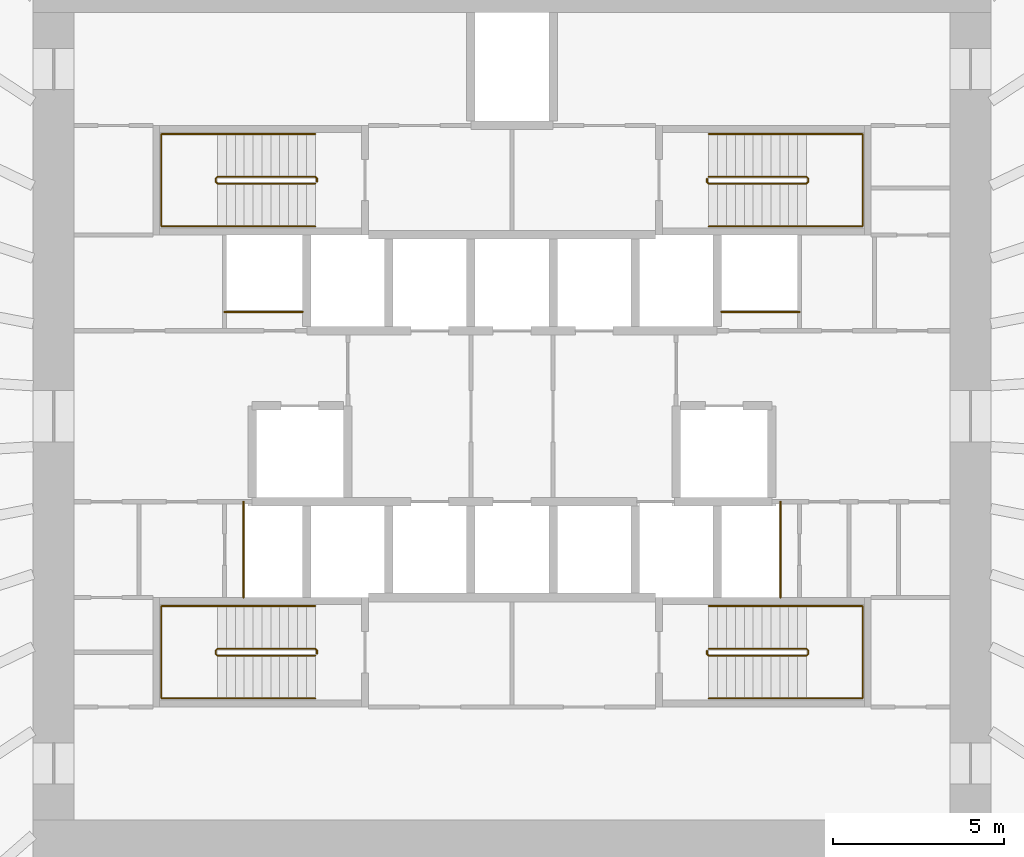
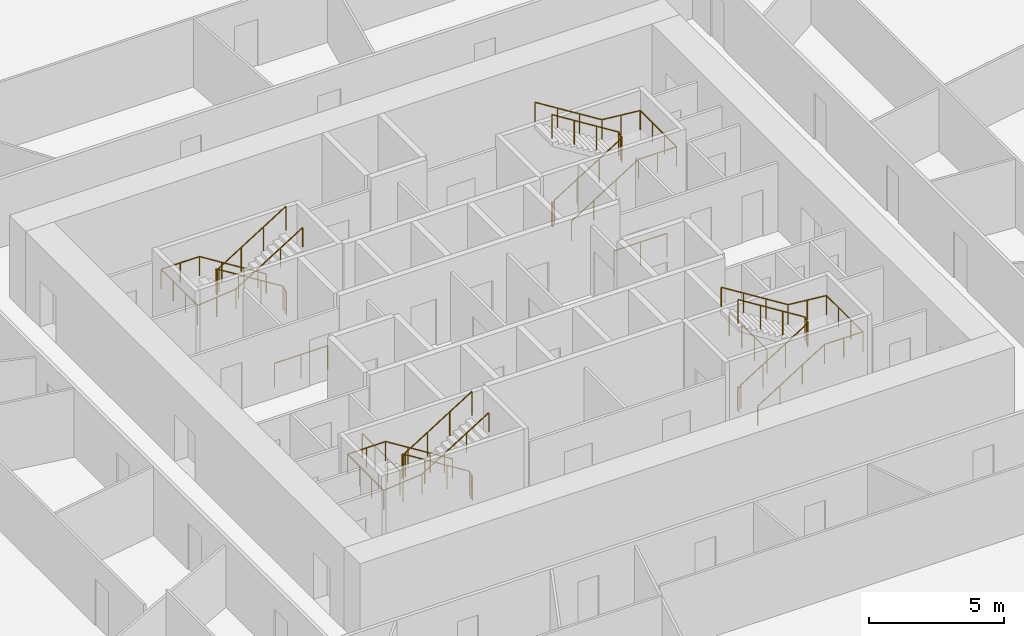
# One storey, part 12 of 12: 12 railings.
"""IFC4 building model written with IfcOpenShell, lengths in metres."""

from ifc_helpers import new_model, si_unit, direction, frame, origin, origin_2d, place, context, subcontext, project, spatial, circle, extrude, source, transform, mapped, material, type_object, element, save


model = new_model("IFC4")

# Units and contexts
model_context = context("Model", 3, precision=1e-05, world=origin(), true_north=direction((0.0, 1.0)))
body_context = subcontext(model_context, "Body", "Model", "MODEL_VIEW")
ifc_project = project(units=[si_unit("LENGTHUNIT", "METRE"), si_unit("AREAUNIT", "SQUARE_METRE"), si_unit("VOLUMEUNIT", "CUBIC_METRE"), si_unit("PLANEANGLEUNIT", "RADIAN"), si_unit("MASSUNIT", "GRAM", prefix="KILO")], contexts=[model_context])

# Site, building, storey
site_placement = place(None, origin())
site = spatial("IfcSite", under=ifc_project, at=site_placement, CompositionType="ELEMENT")
building_placement = place(site_placement, origin())
building = spatial("IfcBuilding", under=site, at=building_placement, Name="Embergate Tower", CompositionType="ELEMENT")
storey_placement = place(building_placement, frame((0.0, 0.0, 65.89990234375)))
storey = spatial("IfcBuildingStorey", under=building, at=storey_placement, Name="L12", CompositionType="ELEMENT", Elevation=65.89990234375)

# Railings
ifc_material_1 = material(Name="Stair guard 1100")
railing_type_1 = type_object("IfcRailingType", Name="Stair guard 1100", PredefinedType="GUARDRAIL", material=ifc_material_1)
shared_shape_1 = source(origin(), body_context, "Body", "SweptSolid", [
    extrude(circle(Radius=0.02392578125, at=origin_2d()), frame((0.0, 0.0, 1.076171875), z_axis=(0.0, 1.0, 0.0), x_axis=(-1.0, 0.0, 0.0)), (0.0, 0.0, 1.0), 0.099853515625),
    extrude(circle(Radius=0.02392578125, at=origin_2d()), frame((0.0, 0.099853515625, 1.076171875), z_axis=(-0.282227285176, 0.282227285176, 0.916894497205), x_axis=(-0.707106781187, -0.707106781187, 0.0)), (0.0, 0.0, 1.0), 0.17724609375),
    extrude(circle(Radius=0.02392578125, at=origin_2d()), frame((-0.050048828125, 0.14990234375, 1.23876953125), z_axis=(-0.847994237388, 0.0, 0.530005446535), x_axis=(0.0, -1.0, 0.0)), (0.0, 0.0, 1.0), 3.372802734375),
    extrude(circle(Radius=0.02392578125, at=origin_2d()), frame((-2.91015625, 0.14990234375, 3.0263671875), z_axis=(-0.705375805398, -0.708833529934, 0.0), x_axis=(0.708833529934, -0.705375805398, 0.0)), (0.0, 0.0, 1.0), 0.070556640625),
    extrude(circle(Radius=0.02392578125, at=origin_2d()), frame((-2.9599609375, 0.099853515625, 3.0263671875), z_axis=(0.0, -1.0, 0.0), x_axis=(1.0, 0.0, 0.0)), (0.0, 0.0, 1.0), 0.099853515625),
    extrude(circle(Radius=0.02392578125, at=origin_2d()), frame((-2.9599609375, 0.0, 3.0263671875), z_axis=(0.281314826061, -0.282693820306, 0.917031173188), x_axis=(0.708833529934, 0.705375805398, 0.0)), (0.0, 0.0, 1.0), 0.177001953125),
    extrude(circle(Radius=0.02392578125, at=origin_2d()), frame((-2.91015625, -0.050048828125, 3.1884765625), z_axis=(0.847994237388, 0.0, 0.530005446535), x_axis=(0.0, 1.0, 0.0)), (0.0, 0.0, 1.0), 3.372802734375),
    extrude(circle(Radius=0.02099609375, at=origin_2d()), origin(), (0.0, 0.0, 1.0), 1.052001953125),
    extrude(circle(Radius=0.02099609375, at=origin_2d()), frame((0.0, 0.099853515625, 0.0)), (0.0, 0.0, 1.0), 1.052001953125),
    extrude(circle(Radius=0.02099609375, at=origin_2d()), frame((-0.050048828125, 0.14990234375, 0.16259765625)), (0.0, 0.0, 1.0), 1.052001953125),
    extrude(circle(Radius=0.02099609375, at=origin_2d()), frame((-1.00341796875, 0.14990234375, 0.758544921875)), (0.0, 0.0, 1.0), 1.052001953125),
    extrude(circle(Radius=0.02099609375, at=origin_2d()), frame((-1.956787109375, 0.14990234375, 1.354248046875)), (0.0, 0.0, 1.0), 1.052001953125),
    extrude(circle(Radius=0.02099609375, at=origin_2d()), frame((-2.91015625, 0.14990234375, 1.9501953125)), (0.0, 0.0, 1.0), 1.052001953125),
    extrude(circle(Radius=0.02099609375, at=origin_2d()), frame((-2.9599609375, 0.099853515625, 1.9501953125)), (0.0, 0.0, 1.0), 1.052001953125),
    extrude(circle(Radius=0.02099609375, at=origin_2d()), frame((-2.9599609375, 0.0, 1.9501953125)), (0.0, 0.0, 1.0), 1.052001953125),
    extrude(circle(Radius=0.02099609375, at=origin_2d()), frame((-2.91015625, -0.050048828125, 2.112548828125)), (0.0, 0.0, 1.0), 1.052001953125),
    extrude(circle(Radius=0.02099609375, at=origin_2d()), frame((-1.956787109375, -0.050048828125, 2.70849609375)), (0.0, 0.0, 1.0), 1.052001953125),
    extrude(circle(Radius=0.02099609375, at=origin_2d()), frame((-1.00341796875, -0.050048828125, 3.30419921875)), (0.0, 0.0, 1.0), 1.052001953125),
    extrude(circle(Radius=0.02099609375, at=origin_2d()), frame((-0.050048828125, -0.050048828125, 3.900146484375)), (0.0, 0.0, 1.0), 1.052001953125),
])
for number, where, name in (
    (1, (-5.699951171875, 6.85009765625, 0.0), "L12 ST1 stair guard 1"),
    (2, (-5.699951171875, -6.949951171875, 0.0), "L12 ST3 stair guard 1"),
):
    element("IfcRailing", number, at=place(storey_placement, frame(where)), inside=storey, type_object=railing_type_1, Name=name, PredefinedType="GUARDRAIL", context=body_context, shape_type="MappedRepresentation", body=[
        mapped(shared_shape_1, transform((0.0, 0.0, 0.0))),
    ])
ifc_material_2 = material(Name="Stair handrail 900")
railing_type_2 = type_object("IfcRailingType", Name="Stair handrail 900", PredefinedType="HANDRAIL", material=ifc_material_2)
shared_shape_2 = source(origin(), body_context, "Body", "SweptSolid", [
    extrude(circle(Radius=0.02392578125, at=origin_2d()), frame((0.0, 0.0, 0.8759765625), z_axis=(-0.847994237388, 0.0, 0.530005446535), x_axis=(0.0, -1.0, 0.0)), (0.0, 0.0, 1.0), 3.372802734375),
    extrude(circle(Radius=0.02392578125, at=origin_2d()), frame((-2.860107421875, 0.0, 2.66357421875), z_axis=(-1.0, 0.0, 0.0), x_axis=(0.0, -1.0, 0.0)), (0.0, 0.0, 1.0), 1.639892578125),
    extrude(circle(Radius=0.02392578125, at=origin_2d()), frame((-4.5, 0.0, 2.66357421875), z_axis=(0.0, -1.0, 0.0), x_axis=(1.0, 0.0, 0.0)), (0.0, 0.0, 1.0), 2.699951171875),
    extrude(circle(Radius=0.02392578125, at=origin_2d()), frame((-4.5, -2.699951171875, 2.66357421875), z_axis=(0.995134983717, 0.0, 0.098520881967), x_axis=(0.0, 1.0, 0.0)), (0.0, 0.0, 1.0), 1.64794921875),
    extrude(circle(Radius=0.02392578125, at=origin_2d()), frame((-2.860107421875, -2.699951171875, 2.82568359375), z_axis=(0.847994237388, 0.0, 0.530005446535), x_axis=(0.0, 1.0, 0.0)), (0.0, 0.0, 1.0), 3.372802734375),
    extrude(circle(Radius=0.02099609375, at=origin_2d()), origin(), (0.0, 0.0, 1.0), 0.851806640625),
    extrude(circle(Radius=0.02099609375, at=origin_2d()), frame((-0.953369140625, 0.0, 0.595947265625)), (0.0, 0.0, 1.0), 0.851806640625),
    extrude(circle(Radius=0.02099609375, at=origin_2d()), frame((-1.90673828125, 0.0, 1.191650390625)), (0.0, 0.0, 1.0), 0.851806640625),
    extrude(circle(Radius=0.02099609375, at=origin_2d()), frame((-2.860107421875, 0.0, 1.78759765625)), (0.0, 0.0, 1.0), 0.851806640625),
    extrude(circle(Radius=0.02099609375, at=origin_2d()), frame((-3.68017578125, 0.0, 1.78759765625)), (0.0, 0.0, 1.0), 0.851806640625),
    extrude(circle(Radius=0.02099609375, at=origin_2d()), frame((-4.5, 0.0, 1.78759765625)), (0.0, 0.0, 1.0), 0.851806640625),
    extrude(circle(Radius=0.02099609375, at=origin_2d()), frame((-4.5, -0.89990234375, 1.78759765625)), (0.0, 0.0, 1.0), 0.851806640625),
    extrude(circle(Radius=0.02099609375, at=origin_2d()), frame((-4.5, -1.800048828125, 1.78759765625)), (0.0, 0.0, 1.0), 0.851806640625),
    extrude(circle(Radius=0.02099609375, at=origin_2d()), frame((-4.5, -2.699951171875, 1.78759765625)), (0.0, 0.0, 1.0), 0.851806640625),
    extrude(circle(Radius=0.02099609375, at=origin_2d()), frame((-3.68017578125, -2.699951171875, 1.86865234375)), (0.0, 0.0, 1.0), 0.851806640625),
    extrude(circle(Radius=0.02099609375, at=origin_2d()), frame((-2.860107421875, -2.699951171875, 1.949951171875)), (0.0, 0.0, 1.0), 0.851806640625),
    extrude(circle(Radius=0.02099609375, at=origin_2d()), frame((-1.90673828125, -2.699951171875, 2.5458984375)), (0.0, 0.0, 1.0), 0.851806640625),
    extrude(circle(Radius=0.02099609375, at=origin_2d()), frame((-0.953369140625, -2.699951171875, 3.1416015625)), (0.0, 0.0, 1.0), 0.851806640625),
    extrude(circle(Radius=0.02099609375, at=origin_2d()), frame((0.0, -2.699951171875, 3.737548828125)), (0.0, 0.0, 1.0), 0.851806640625),
])
for number, where, name in (
    (3, (-5.75, 8.25, 0.16259765625), "L12 ST1 stair handrail 1"),
    (4, (-5.75, -5.550048828125, 0.16259765625), "L12 ST3 stair handrail 1"),
):
    element("IfcRailing", number, at=place(storey_placement, frame(where)), inside=storey, type_object=railing_type_2, Name=name, PredefinedType="HANDRAIL", context=body_context, shape_type="MappedRepresentation", body=[
        mapped(shared_shape_2, transform((0.0, 0.0, 0.0))),
    ])
shared_shape_3 = source(origin(), body_context, "Body", "SweptSolid", [
    extrude(circle(Radius=0.02392578125, at=origin_2d()), frame((0.0, 0.0, 1.076171875), z_axis=(0.0, -1.0, 0.0), x_axis=(1.0, 0.0, 0.0)), (0.0, 0.0, 1.0), 0.099853515625),
    extrude(circle(Radius=0.02392578125, at=origin_2d()), frame((0.0, -0.099853515625, 1.076171875), z_axis=(0.282227285176, -0.282227285176, 0.916894497205), x_axis=(0.707106781187, 0.707106781187, 0.0)), (0.0, 0.0, 1.0), 0.17724609375),
    extrude(circle(Radius=0.02392578125, at=origin_2d()), frame((0.050048828125, -0.14990234375, 1.23876953125), z_axis=(0.847994237388, 0.0, 0.530005446535), x_axis=(0.0, 1.0, 0.0)), (0.0, 0.0, 1.0), 3.372802734375),
    extrude(circle(Radius=0.02392578125, at=origin_2d()), frame((2.91015625, -0.14990234375, 3.0263671875), z_axis=(0.705375805398, 0.708833529934, 0.0), x_axis=(-0.708833529934, 0.705375805398, 0.0)), (0.0, 0.0, 1.0), 0.070556640625),
    extrude(circle(Radius=0.02392578125, at=origin_2d()), frame((2.9599609375, -0.099853515625, 3.0263671875), z_axis=(0.0, 1.0, 0.0), x_axis=(-1.0, 0.0, 0.0)), (0.0, 0.0, 1.0), 0.099853515625),
    extrude(circle(Radius=0.02392578125, at=origin_2d()), frame((2.9599609375, 0.0, 3.0263671875), z_axis=(-0.281314826061, 0.282693820306, 0.917031173188), x_axis=(-0.708833529934, -0.705375805398, 0.0)), (0.0, 0.0, 1.0), 0.177001953125),
    extrude(circle(Radius=0.02392578125, at=origin_2d()), frame((2.91015625, 0.050048828125, 3.1884765625), z_axis=(-0.847994237388, 0.0, 0.530005446535), x_axis=(0.0, -1.0, 0.0)), (0.0, 0.0, 1.0), 3.372802734375),
    extrude(circle(Radius=0.02099609375, at=origin_2d()), origin(), (0.0, 0.0, 1.0), 1.052001953125),
    extrude(circle(Radius=0.02099609375, at=origin_2d()), frame((0.0, -0.099853515625, 0.0)), (0.0, 0.0, 1.0), 1.052001953125),
    extrude(circle(Radius=0.02099609375, at=origin_2d()), frame((0.050048828125, -0.14990234375, 0.16259765625)), (0.0, 0.0, 1.0), 1.052001953125),
    extrude(circle(Radius=0.02099609375, at=origin_2d()), frame((1.00341796875, -0.14990234375, 0.758544921875)), (0.0, 0.0, 1.0), 1.052001953125),
    extrude(circle(Radius=0.02099609375, at=origin_2d()), frame((1.956787109375, -0.14990234375, 1.354248046875)), (0.0, 0.0, 1.0), 1.052001953125),
    extrude(circle(Radius=0.02099609375, at=origin_2d()), frame((2.91015625, -0.14990234375, 1.9501953125)), (0.0, 0.0, 1.0), 1.052001953125),
    extrude(circle(Radius=0.02099609375, at=origin_2d()), frame((2.9599609375, -0.099853515625, 1.9501953125)), (0.0, 0.0, 1.0), 1.052001953125),
    extrude(circle(Radius=0.02099609375, at=origin_2d()), frame((2.9599609375, 0.0, 1.9501953125)), (0.0, 0.0, 1.0), 1.052001953125),
    extrude(circle(Radius=0.02099609375, at=origin_2d()), frame((2.91015625, 0.050048828125, 2.112548828125)), (0.0, 0.0, 1.0), 1.052001953125),
    extrude(circle(Radius=0.02099609375, at=origin_2d()), frame((1.956787109375, 0.050048828125, 2.70849609375)), (0.0, 0.0, 1.0), 1.052001953125),
    extrude(circle(Radius=0.02099609375, at=origin_2d()), frame((1.00341796875, 0.050048828125, 3.30419921875)), (0.0, 0.0, 1.0), 1.052001953125),
    extrude(circle(Radius=0.02099609375, at=origin_2d()), frame((0.050048828125, 0.050048828125, 3.900146484375)), (0.0, 0.0, 1.0), 1.052001953125),
])
for number, where, name in (
    (5, (5.699951171875, 6.949951171875, 0.0), "L12 ST2 stair guard 1"),
    (6, (5.699951171875, -6.85009765625, 0.0), "L12 ST4 stair guard 1"),
):
    element("IfcRailing", number, at=place(storey_placement, frame(where)), inside=storey, type_object=railing_type_1, Name=name, PredefinedType="GUARDRAIL", context=body_context, shape_type="MappedRepresentation", body=[
        mapped(shared_shape_3, transform((0.0, 0.0, 0.0))),
    ])
shared_shape_4 = source(origin(), body_context, "Body", "SweptSolid", [
    extrude(circle(Radius=0.02392578125, at=origin_2d()), frame((0.0, 0.0, 0.8759765625), z_axis=(0.847994237388, 0.0, 0.530005446535), x_axis=(0.0, 1.0, 0.0)), (0.0, 0.0, 1.0), 3.372802734375),
    extrude(circle(Radius=0.02392578125, at=origin_2d()), frame((2.860107421875, 0.0, 2.66357421875), z_axis=(1.0, 0.0, 0.0), x_axis=(0.0, 1.0, 0.0)), (0.0, 0.0, 1.0), 1.639892578125),
    extrude(circle(Radius=0.02392578125, at=origin_2d()), frame((4.5, 0.0, 2.66357421875), z_axis=(0.0, 1.0, 0.0), x_axis=(-1.0, 0.0, 0.0)), (0.0, 0.0, 1.0), 2.699951171875),
    extrude(circle(Radius=0.02392578125, at=origin_2d()), frame((4.5, 2.699951171875, 2.66357421875), z_axis=(-0.995134983717, 0.0, 0.098520881967), x_axis=(0.0, -1.0, 0.0)), (0.0, 0.0, 1.0), 1.64794921875),
    extrude(circle(Radius=0.02392578125, at=origin_2d()), frame((2.860107421875, 2.699951171875, 2.82568359375), z_axis=(-0.847994237388, 0.0, 0.530005446535), x_axis=(0.0, -1.0, 0.0)), (0.0, 0.0, 1.0), 3.372802734375),
    extrude(circle(Radius=0.02099609375, at=origin_2d()), origin(), (0.0, 0.0, 1.0), 0.851806640625),
    extrude(circle(Radius=0.02099609375, at=origin_2d()), frame((0.953369140625, 0.0, 0.595947265625)), (0.0, 0.0, 1.0), 0.851806640625),
    extrude(circle(Radius=0.02099609375, at=origin_2d()), frame((1.90673828125, 0.0, 1.191650390625)), (0.0, 0.0, 1.0), 0.851806640625),
    extrude(circle(Radius=0.02099609375, at=origin_2d()), frame((2.860107421875, 0.0, 1.78759765625)), (0.0, 0.0, 1.0), 0.851806640625),
    extrude(circle(Radius=0.02099609375, at=origin_2d()), frame((3.68017578125, 0.0, 1.78759765625)), (0.0, 0.0, 1.0), 0.851806640625),
    extrude(circle(Radius=0.02099609375, at=origin_2d()), frame((4.5, 0.0, 1.78759765625)), (0.0, 0.0, 1.0), 0.851806640625),
    extrude(circle(Radius=0.02099609375, at=origin_2d()), frame((4.5, 0.89990234375, 1.78759765625)), (0.0, 0.0, 1.0), 0.851806640625),
    extrude(circle(Radius=0.02099609375, at=origin_2d()), frame((4.5, 1.800048828125, 1.78759765625)), (0.0, 0.0, 1.0), 0.851806640625),
    extrude(circle(Radius=0.02099609375, at=origin_2d()), frame((4.5, 2.699951171875, 1.78759765625)), (0.0, 0.0, 1.0), 0.851806640625),
    extrude(circle(Radius=0.02099609375, at=origin_2d()), frame((3.68017578125, 2.699951171875, 1.86865234375)), (0.0, 0.0, 1.0), 0.851806640625),
    extrude(circle(Radius=0.02099609375, at=origin_2d()), frame((2.860107421875, 2.699951171875, 1.949951171875)), (0.0, 0.0, 1.0), 0.851806640625),
    extrude(circle(Radius=0.02099609375, at=origin_2d()), frame((1.90673828125, 2.699951171875, 2.5458984375)), (0.0, 0.0, 1.0), 0.851806640625),
    extrude(circle(Radius=0.02099609375, at=origin_2d()), frame((0.953369140625, 2.699951171875, 3.1416015625)), (0.0, 0.0, 1.0), 0.851806640625),
    extrude(circle(Radius=0.02099609375, at=origin_2d()), frame((0.0, 2.699951171875, 3.737548828125)), (0.0, 0.0, 1.0), 0.851806640625),
])
for number, where, name in (
    (7, (5.75, 5.550048828125, 0.16259765625), "L12 ST2 stair handrail 1"),
    (8, (5.75, -8.25, 0.16259765625), "L12 ST4 stair handrail 1"),
):
    element("IfcRailing", number, at=place(storey_placement, frame(where)), inside=storey, type_object=railing_type_2, Name=name, PredefinedType="HANDRAIL", context=body_context, shape_type="MappedRepresentation", body=[
        mapped(shared_shape_4, transform((0.0, 0.0, 0.0))),
    ])
ifc_material_3 = material(Name="Opening guard 1100")
railing_type_3 = type_object("IfcRailingType", Name="Opening guard 1100", PredefinedType="GUARDRAIL", material=ifc_material_3)
shared_shape_5 = source(origin(), body_context, "Body", "SweptSolid", [
    extrude(circle(Radius=0.02392578125, at=origin_2d()), frame((0.0, 0.0, 1.076171875), z_axis=(1.0, 0.0, 0.0), x_axis=(0.0, 1.0, 0.0)), (0.0, 0.0, 1.0), 2.27490234375),
    extrude(circle(Radius=0.02099609375, at=origin_2d()), origin(), (0.0, 0.0, 1.0), 1.052001953125),
    extrude(circle(Radius=0.02099609375, at=origin_2d()), frame((1.137451171875, 0.0, 0.0)), (0.0, 0.0, 1.0), 1.052001953125),
    extrude(circle(Radius=0.02099609375, at=origin_2d()), frame((2.27490234375, 0.0, 0.0)), (0.0, 0.0, 1.0), 1.052001953125),
])
for number, where, name in (
    (9, (-8.39990234375, 3.050048828125, 0.0), "Riser opening guard"),
    (10, (6.125, 3.050048828125, 0.0), "Riser opening guard"),
):
    element("IfcRailing", number, at=place(storey_placement, frame(where)), inside=storey, type_object=railing_type_3, Name=name, PredefinedType="GUARDRAIL", context=body_context, shape_type="MappedRepresentation", body=[
        mapped(shared_shape_5, transform((0.0, 0.0, 0.0))),
    ])
shared_shape_6 = source(origin(), body_context, "Body", "SweptSolid", [
    extrude(circle(Radius=0.02392578125, at=origin_2d()), frame((0.0, 0.0, 1.076171875), z_axis=(0.0, 1.0, 0.0), x_axis=(-1.0, 0.0, 0.0)), (0.0, 0.0, 1.0), 2.800048828125),
    extrude(circle(Radius=0.02099609375, at=origin_2d()), origin(), (0.0, 0.0, 1.0), 1.052001953125),
    extrude(circle(Radius=0.02099609375, at=origin_2d()), frame((0.0, 0.933349609375, 0.0)), (0.0, 0.0, 1.0), 1.052001953125),
    extrude(circle(Radius=0.02099609375, at=origin_2d()), frame((0.0, 1.86669921875, 0.0)), (0.0, 0.0, 1.0), 1.052001953125),
    extrude(circle(Radius=0.02099609375, at=origin_2d()), frame((0.0, 2.800048828125, 0.0)), (0.0, 0.0, 1.0), 1.052001953125),
])
for number, where, name in (
    (11, (-7.85009765625, -5.300048828125, 0.0), "Riser opening guard"),
    (12, (7.85009765625, -5.300048828125, 0.0), "Riser opening guard"),
):
    element("IfcRailing", number, at=place(storey_placement, frame(where)), inside=storey, type_object=railing_type_3, Name=name, PredefinedType="GUARDRAIL", context=body_context, shape_type="MappedRepresentation", body=[
        mapped(shared_shape_6, transform((0.0, 0.0, 0.0))),
    ])

save(model, "model.ifc")
